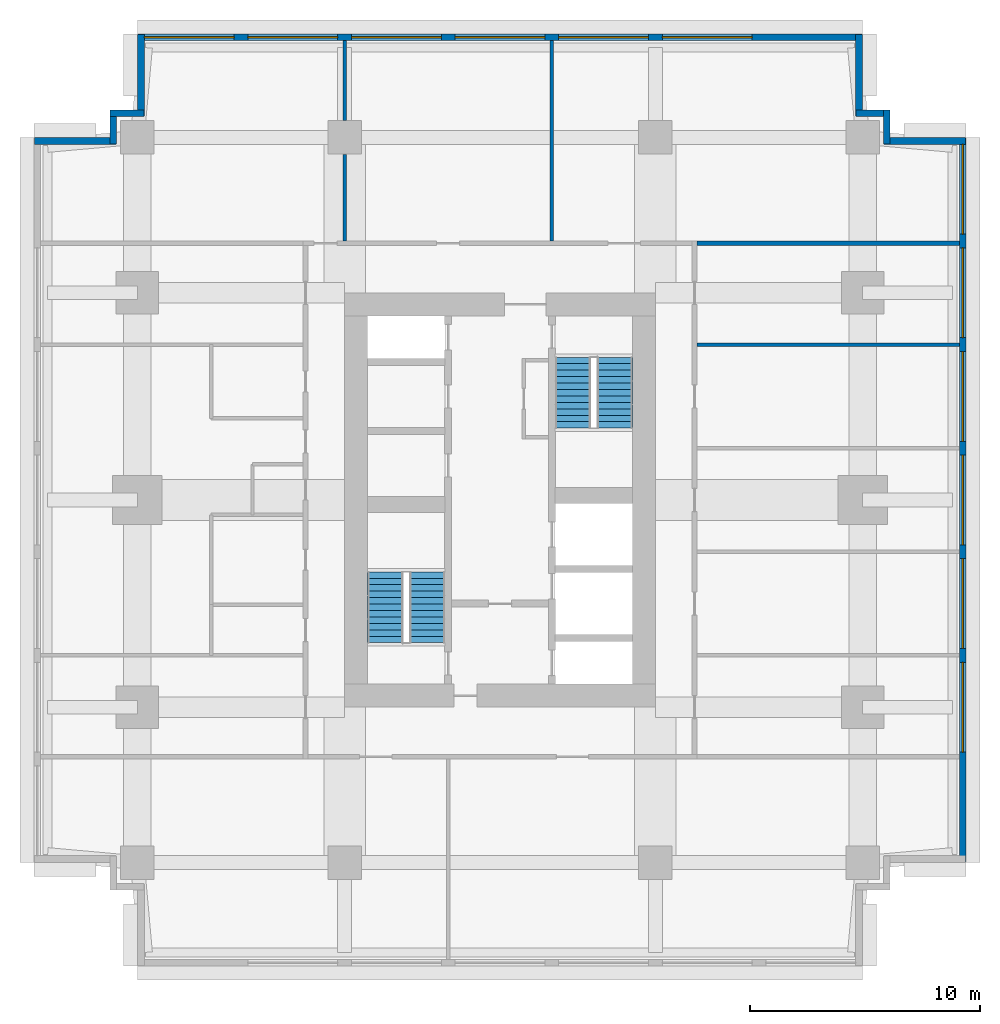
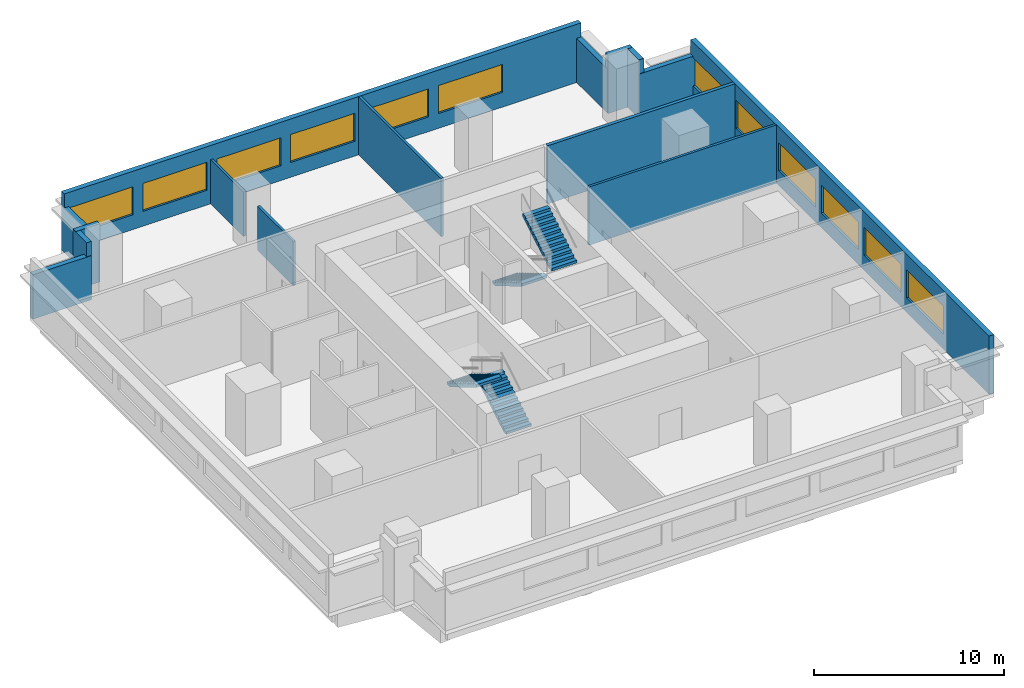
# One storey, part 4 of 5: 15 walls, 12 windows, 4 stair flights, 12 openings, 2 elements without a shape of their own.
"""IFC4 building model written with IfcOpenShell, lengths in metres."""

from ifc_helpers import new_model, si_unit, direction, frame, frame_2d, origin, place, context, subcontext, project, spatial, polyline, rectangle, outline, extrude, material, layer, layer_set, type_object, element, fill, aggregate, save


model = new_model("IFC4")

# Units and contexts
model_context = context("Model", 3, precision=1e-05, world=origin(), true_north=direction((0.0, 1.0)))
body_context = subcontext(model_context, "Body", "Model", "MODEL_VIEW")
ifc_project = project(units=[si_unit("LENGTHUNIT", "METRE"), si_unit("AREAUNIT", "SQUARE_METRE"), si_unit("VOLUMEUNIT", "CUBIC_METRE"), si_unit("PLANEANGLEUNIT", "RADIAN"), si_unit("MASSUNIT", "GRAM", prefix="KILO")], contexts=[model_context])

# Site, building, storey
site_placement = place(None, origin())
site = spatial("IfcSite", under=ifc_project, at=site_placement, CompositionType="ELEMENT")
building_placement = place(site_placement, origin())
building = spatial("IfcBuilding", under=site, at=building_placement, Name="Namib Vertical Campus", CompositionType="ELEMENT")
storey_placement = place(building_placement, frame((0.0, 0.0, 261.0)))
storey = spatial("IfcBuildingStorey", under=building, at=storey_placement, Name="L61", CompositionType="ELEMENT", Elevation=261.0)

# Wall
ifc_material_1 = material(Name="Concrete masonry", Category="masonry")
ifc_layer_1 = layer(ifc_material_1, 0.199951171875)
ifc_layer_set_1 = layer_set([ifc_layer_1], Name="Corridor wall 200")
wall_type_1 = type_object("IfcWallType", Name="Corridor wall 200", PredefinedType="SOLIDWALL", material=ifc_layer_set_1)
wall_1_placement = place(storey_placement, frame((28.800048828125, 31.39990234375, 0.0), z_axis=(0.0, 0.0, 1.0), x_axis=(1.0, 0.0, 0.0)))
element("IfcWall", 1, at=wall_1_placement, inside=storey, type_object=wall_type_1, Name="Partition A L61 BNE", PredefinedType="SOLIDWALL", context=body_context, shape_type="SweptSolid", body=[
    extrude(rectangle(XDim=11.39990234375, YDim=0.199951171875, at=frame_2d((5.699951171875, 0.0))), origin(), (0.0, 0.0, 1.0), 3.75),
])

# Wall, openings, windows
ifc_material_2 = material(Name="Concrete C40/50", Category="concrete")
ifc_layer_2 = layer(ifc_material_2, 0.300048828125)
ifc_layer_set_2 = layer_set([ifc_layer_2], Name="Concrete C40/50")
wall_type_2 = type_object("IfcWallType", Name="External wall 300 board-marked concrete", PredefinedType="STANDARD", material=ifc_layer_set_2)
wall_2_placement = place(storey_placement, frame((40.35009765625, 4.52001953125, 0.0), z_axis=(0.0, 0.0, 1.0), x_axis=(0.0, 1.0, 0.0)))
wall_2 = element("IfcWall", 2, at=wall_2_placement, inside=storey, type_object=wall_type_2, Name="External wall L61 F06", PredefinedType="STANDARD", context=body_context, shape_type="SweptSolid", body=[
    extrude(rectangle(XDim=31.4599609375, YDim=0.300048828125, at=frame_2d((15.72998046875, 0.0))), origin(), (0.0, 0.0, 1.0), 3.75),
])
opening_1_placement = place(wall_2_placement, frame((4.780029296875, 0.0, 0.949951171875)))
opening_1 = element("IfcOpeningElement", 3, at=opening_1_placement, cuts=wall_2, Name="Opening W3", PredefinedType="OPENING", context=body_context, shape_type="SweptSolid", body=[
    extrude(rectangle(XDim=3.89990234375, YDim=1.800048828125, at=frame_2d((1.949951171875, 0.89990234375))), frame((0.0, 0.159912109375, 0.0), z_axis=(0.0, -1.0, 0.0), x_axis=(1.0, 0.0, 0.0)), (0.0, 0.0, 1.0), 0.320068359375),
])
opening_2_placement = place(wall_2_placement, frame((9.280029296875, 0.0, 0.949951171875)))
opening_2 = element("IfcOpeningElement", 4, at=opening_2_placement, cuts=wall_2, Name="Opening W3", PredefinedType="OPENING", context=body_context, shape_type="SweptSolid", body=[
    extrude(rectangle(XDim=3.89990234375, YDim=1.800048828125, at=frame_2d((1.949951171875, 0.89990234375))), frame((0.0, 0.159912109375, 0.0), z_axis=(0.0, -1.0, 0.0), x_axis=(1.0, 0.0, 0.0)), (0.0, 0.0, 1.0), 0.320068359375),
])
opening_3_placement = place(wall_2_placement, frame((13.780029296875, 0.0, 0.949951171875)))
opening_3 = element("IfcOpeningElement", 5, at=opening_3_placement, cuts=wall_2, Name="Opening W3", PredefinedType="OPENING", context=body_context, shape_type="SweptSolid", body=[
    extrude(rectangle(XDim=3.89990234375, YDim=1.800048828125, at=frame_2d((1.949951171875, 0.89990234375))), frame((0.0, 0.159912109375, 0.0), z_axis=(0.0, -1.0, 0.0), x_axis=(1.0, 0.0, 0.0)), (0.0, 0.0, 1.0), 0.320068359375),
])
opening_4_placement = place(wall_2_placement, frame((18.280029296875, 0.0, 0.949951171875)))
opening_4 = element("IfcOpeningElement", 6, at=opening_4_placement, cuts=wall_2, Name="Opening W3", PredefinedType="OPENING", context=body_context, shape_type="SweptSolid", body=[
    extrude(rectangle(XDim=3.89990234375, YDim=1.800048828125, at=frame_2d((1.949951171875, 0.89990234375))), frame((0.0, 0.159912109375, 0.0), z_axis=(0.0, -1.0, 0.0), x_axis=(1.0, 0.0, 0.0)), (0.0, 0.0, 1.0), 0.320068359375),
])
opening_5_placement = place(wall_2_placement, frame((22.780029296875, 0.0, 0.949951171875)))
opening_5 = element("IfcOpeningElement", 7, at=opening_5_placement, cuts=wall_2, Name="Opening W3", PredefinedType="OPENING", context=body_context, shape_type="SweptSolid", body=[
    extrude(rectangle(XDim=3.89990234375, YDim=1.800048828125, at=frame_2d((1.949951171875, 0.89990234375))), frame((0.0, 0.159912109375, 0.0), z_axis=(0.0, -1.0, 0.0), x_axis=(1.0, 0.0, 0.0)), (0.0, 0.0, 1.0), 0.320068359375),
])
opening_6_placement = place(wall_2_placement, frame((27.280029296875, 0.0, 0.949951171875)))
opening_6 = element("IfcOpeningElement", 8, at=opening_6_placement, cuts=wall_2, Name="Opening W3", PredefinedType="OPENING", context=body_context, shape_type="SweptSolid", body=[
    extrude(rectangle(XDim=3.89990234375, YDim=1.800048828125, at=frame_2d((1.949951171875, 0.89990234375))), frame((0.0, 0.159912109375, 0.0), z_axis=(0.0, -1.0, 0.0), x_axis=(1.0, 0.0, 0.0)), (0.0, 0.0, 1.0), 0.320068359375),
])
ifc_material_3 = material(Name="Dark tinted glass in black aluminium frame", Category="aluminium")
window_type = type_object("IfcWindowType", Name="Ribbon window 3900x1800", PartitioningType="SINGLE_PANEL", PredefinedType="WINDOW", material=ifc_material_3)
window_1_placement = place(opening_1_placement, origin())
window_1 = element("IfcWindow", 9, at=window_1_placement, inside=storey, type_object=window_type, Name="Window W3 L61 F06-2", OverallHeight=1.800048828125, OverallWidth=3.89990234375, PartitioningType="SINGLE_PANEL", PredefinedType="WINDOW", context=body_context, shape_type="SweptSolid", body=[
    extrude(rectangle(XDim=3.89990234375, YDim=1.800048828125, at=frame_2d((1.949951171875, 0.89990234375))), frame((0.0, 0.030029296875, 0.0), z_axis=(0.0, -1.0, 0.0), x_axis=(1.0, 0.0, 0.0)), (0.0, 0.0, 1.0), 0.06005859375),
])
fill(opening_1, window_1)
window_2_placement = place(opening_2_placement, origin())
window_2 = element("IfcWindow", 10, at=window_2_placement, inside=storey, type_object=window_type, Name="Window W3 L61 F06-3", OverallHeight=1.800048828125, OverallWidth=3.89990234375, PartitioningType="SINGLE_PANEL", PredefinedType="WINDOW", context=body_context, shape_type="SweptSolid", body=[
    extrude(rectangle(XDim=3.89990234375, YDim=1.800048828125, at=frame_2d((1.949951171875, 0.89990234375))), frame((0.0, 0.030029296875, 0.0), z_axis=(0.0, -1.0, 0.0), x_axis=(1.0, 0.0, 0.0)), (0.0, 0.0, 1.0), 0.06005859375),
])
fill(opening_2, window_2)
window_3_placement = place(opening_3_placement, origin())
window_3 = element("IfcWindow", 11, at=window_3_placement, inside=storey, type_object=window_type, Name="Window W3 L61 F06-4", OverallHeight=1.800048828125, OverallWidth=3.89990234375, PartitioningType="SINGLE_PANEL", PredefinedType="WINDOW", context=body_context, shape_type="SweptSolid", body=[
    extrude(rectangle(XDim=3.89990234375, YDim=1.800048828125, at=frame_2d((1.949951171875, 0.89990234375))), frame((0.0, 0.030029296875, 0.0), z_axis=(0.0, -1.0, 0.0), x_axis=(1.0, 0.0, 0.0)), (0.0, 0.0, 1.0), 0.06005859375),
])
fill(opening_3, window_3)
window_4_placement = place(opening_4_placement, origin())
window_4 = element("IfcWindow", 12, at=window_4_placement, inside=storey, type_object=window_type, Name="Window W3 L61 F06-5", OverallHeight=1.800048828125, OverallWidth=3.89990234375, PartitioningType="SINGLE_PANEL", PredefinedType="WINDOW", context=body_context, shape_type="SweptSolid", body=[
    extrude(rectangle(XDim=3.89990234375, YDim=1.800048828125, at=frame_2d((1.949951171875, 0.89990234375))), frame((0.0, 0.030029296875, 0.0), z_axis=(0.0, -1.0, 0.0), x_axis=(1.0, 0.0, 0.0)), (0.0, 0.0, 1.0), 0.06005859375),
])
fill(opening_4, window_4)
window_5_placement = place(opening_5_placement, origin())
window_5 = element("IfcWindow", 13, at=window_5_placement, inside=storey, type_object=window_type, Name="Window W3 L61 F06-6", OverallHeight=1.800048828125, OverallWidth=3.89990234375, PartitioningType="SINGLE_PANEL", PredefinedType="WINDOW", context=body_context, shape_type="SweptSolid", body=[
    extrude(rectangle(XDim=3.89990234375, YDim=1.800048828125, at=frame_2d((1.949951171875, 0.89990234375))), frame((0.0, 0.030029296875, 0.0), z_axis=(0.0, -1.0, 0.0), x_axis=(1.0, 0.0, 0.0)), (0.0, 0.0, 1.0), 0.06005859375),
])
fill(opening_5, window_5)
window_6_placement = place(opening_6_placement, origin())
window_6 = element("IfcWindow", 14, at=window_6_placement, inside=storey, type_object=window_type, Name="Window W3 L61 F06-7", OverallHeight=1.800048828125, OverallWidth=3.89990234375, PartitioningType="SINGLE_PANEL", PredefinedType="WINDOW", context=body_context, shape_type="SweptSolid", body=[
    extrude(rectangle(XDim=3.89990234375, YDim=1.800048828125, at=frame_2d((1.949951171875, 0.89990234375))), frame((0.0, 0.030029296875, 0.0), z_axis=(0.0, -1.0, 0.0), x_axis=(1.0, 0.0, 0.0)), (0.0, 0.0, 1.0), 0.06005859375),
])
fill(opening_6, window_6)

# Walls
wall_3_placement = place(storey_placement, frame((40.47998046875, 35.85009765625, 0.0), z_axis=(0.0, 0.0, 1.0), x_axis=(-1.0, 0.0, 0.0)))
element("IfcWall", 15, at=wall_3_placement, inside=storey, type_object=wall_type_2, Name="External wall L61 F07", PredefinedType="STANDARD", context=body_context, shape_type="SweptSolid", body=[
    extrude(rectangle(XDim=3.56005859375, YDim=0.300048828125, at=frame_2d((1.780029296875, 0.0))), origin(), (0.0, 0.0, 1.0), 2.85009765625),
])
for number, where, z_axis, x_axis, name in (
    (16, (37.050048828125, 35.719970703125, 0.0), (0.0, 0.0, 1.0), (0.0, 1.0, 0.0), "External wall L61 F08"),
    (17, (37.179931640625, 37.050048828125, 0.0), (0.0, 0.0, 1.0), (-1.0, 0.0, 0.0), "External wall L61 F09"),
):
    element("IfcWall", number, at=place(storey_placement, frame(where, z_axis=z_axis, x_axis=x_axis)), inside=storey, type_object=wall_type_2, Name=name, PredefinedType="STANDARD", context=body_context, shape_type="SweptSolid", body=[
        extrude(rectangle(XDim=1.4599609375, YDim=0.300048828125, at=frame_2d((0.72998046875, 0.0))), origin(), (0.0, 0.0, 1.0), 3.75),
    ])
wall_4_placement = place(storey_placement, frame((35.85009765625, 36.919921875, 0.0), z_axis=(0.0, 0.0, 1.0), x_axis=(0.0, 1.0, 0.0)))
element("IfcWall", 18, at=wall_4_placement, inside=storey, type_object=wall_type_2, Name="External wall L61 F10", PredefinedType="STANDARD", context=body_context, shape_type="SweptSolid", body=[
    extrude(rectangle(XDim=3.56005859375, YDim=0.300048828125, at=frame_2d((1.780029296875, 0.0))), origin(), (0.0, 0.0, 1.0), 2.85009765625),
])

# Wall, openings, windows
wall_5_placement = place(storey_placement, frame((35.97998046875, 40.35009765625, 0.0), z_axis=(0.0, 0.0, 1.0), x_axis=(-1.0, 0.0, 0.0)))
wall_5 = element("IfcWall", 19, at=wall_5_placement, inside=storey, type_object=wall_type_2, Name="External wall L61 F11", PredefinedType="STANDARD", context=body_context, shape_type="SweptSolid", body=[
    extrude(rectangle(XDim=31.4599609375, YDim=0.300048828125, at=frame_2d((15.72998046875, 0.0))), origin(), (0.0, 0.0, 1.0), 3.75),
])
opening_7_placement = place(wall_5_placement, frame((27.280029296875, 0.0, 0.949951171875)))
opening_7 = element("IfcOpeningElement", 20, at=opening_7_placement, cuts=wall_5, Name="Opening W3", PredefinedType="OPENING", context=body_context, shape_type="SweptSolid", body=[
    extrude(rectangle(XDim=3.89990234375, YDim=1.800048828125, at=frame_2d((1.949951171875, 0.89990234375))), frame((0.0, 0.159912109375, 0.0), z_axis=(0.0, -1.0, 0.0), x_axis=(1.0, 0.0, 0.0)), (0.0, 0.0, 1.0), 0.320068359375),
])
opening_8_placement = place(wall_5_placement, frame((22.780029296875, 0.0, 0.949951171875)))
opening_8 = element("IfcOpeningElement", 21, at=opening_8_placement, cuts=wall_5, Name="Opening W3", PredefinedType="OPENING", context=body_context, shape_type="SweptSolid", body=[
    extrude(rectangle(XDim=3.89990234375, YDim=1.800048828125, at=frame_2d((1.949951171875, 0.89990234375))), frame((0.0, 0.159912109375, 0.0), z_axis=(0.0, -1.0, 0.0), x_axis=(1.0, 0.0, 0.0)), (0.0, 0.0, 1.0), 0.320068359375),
])
opening_9_placement = place(wall_5_placement, frame((18.280029296875, 0.0, 0.949951171875)))
opening_9 = element("IfcOpeningElement", 22, at=opening_9_placement, cuts=wall_5, Name="Opening W3", PredefinedType="OPENING", context=body_context, shape_type="SweptSolid", body=[
    extrude(rectangle(XDim=3.89990234375, YDim=1.800048828125, at=frame_2d((1.949951171875, 0.89990234375))), frame((0.0, 0.159912109375, 0.0), z_axis=(0.0, -1.0, 0.0), x_axis=(1.0, 0.0, 0.0)), (0.0, 0.0, 1.0), 0.320068359375),
])
opening_10_placement = place(wall_5_placement, frame((13.780029296875, 0.0, 0.949951171875)))
opening_10 = element("IfcOpeningElement", 23, at=opening_10_placement, cuts=wall_5, Name="Opening W3", PredefinedType="OPENING", context=body_context, shape_type="SweptSolid", body=[
    extrude(rectangle(XDim=3.89990234375, YDim=1.800048828125, at=frame_2d((1.949951171875, 0.89990234375))), frame((0.0, 0.159912109375, 0.0), z_axis=(0.0, -1.0, 0.0), x_axis=(1.0, 0.0, 0.0)), (0.0, 0.0, 1.0), 0.320068359375),
])
opening_11_placement = place(wall_5_placement, frame((9.280029296875, 0.0, 0.949951171875)))
opening_11 = element("IfcOpeningElement", 24, at=opening_11_placement, cuts=wall_5, Name="Opening W3", PredefinedType="OPENING", context=body_context, shape_type="SweptSolid", body=[
    extrude(rectangle(XDim=3.89990234375, YDim=1.800048828125, at=frame_2d((1.949951171875, 0.89990234375))), frame((0.0, 0.159912109375, 0.0), z_axis=(0.0, -1.0, 0.0), x_axis=(1.0, 0.0, 0.0)), (0.0, 0.0, 1.0), 0.320068359375),
])
opening_12_placement = place(wall_5_placement, frame((4.780029296875, 0.0, 0.949951171875)))
opening_12 = element("IfcOpeningElement", 25, at=opening_12_placement, cuts=wall_5, Name="Opening W3", PredefinedType="OPENING", context=body_context, shape_type="SweptSolid", body=[
    extrude(rectangle(XDim=3.89990234375, YDim=1.800048828125, at=frame_2d((1.949951171875, 0.89990234375))), frame((0.0, 0.159912109375, 0.0), z_axis=(0.0, -1.0, 0.0), x_axis=(1.0, 0.0, 0.0)), (0.0, 0.0, 1.0), 0.320068359375),
])
window_7_placement = place(opening_7_placement, origin())
window_7 = element("IfcWindow", 26, at=window_7_placement, inside=storey, type_object=window_type, Name="Window W3 L61 F11-1", OverallHeight=1.800048828125, OverallWidth=3.89990234375, PartitioningType="SINGLE_PANEL", PredefinedType="WINDOW", context=body_context, shape_type="SweptSolid", body=[
    extrude(rectangle(XDim=3.89990234375, YDim=1.800048828125, at=frame_2d((1.949951171875, 0.89990234375))), frame((0.0, 0.030029296875, 0.0), z_axis=(0.0, -1.0, 0.0), x_axis=(1.0, 0.0, 0.0)), (0.0, 0.0, 1.0), 0.06005859375),
])
fill(opening_7, window_7)
window_8_placement = place(opening_8_placement, origin())
window_8 = element("IfcWindow", 27, at=window_8_placement, inside=storey, type_object=window_type, Name="Window W3 L61 F11-2", OverallHeight=1.800048828125, OverallWidth=3.89990234375, PartitioningType="SINGLE_PANEL", PredefinedType="WINDOW", context=body_context, shape_type="SweptSolid", body=[
    extrude(rectangle(XDim=3.89990234375, YDim=1.800048828125, at=frame_2d((1.949951171875, 0.89990234375))), frame((0.0, 0.030029296875, 0.0), z_axis=(0.0, -1.0, 0.0), x_axis=(1.0, 0.0, 0.0)), (0.0, 0.0, 1.0), 0.06005859375),
])
fill(opening_8, window_8)
window_9_placement = place(opening_9_placement, origin())
window_9 = element("IfcWindow", 28, at=window_9_placement, inside=storey, type_object=window_type, Name="Window W3 L61 F11-3", OverallHeight=1.800048828125, OverallWidth=3.89990234375, PartitioningType="SINGLE_PANEL", PredefinedType="WINDOW", context=body_context, shape_type="SweptSolid", body=[
    extrude(rectangle(XDim=3.89990234375, YDim=1.800048828125, at=frame_2d((1.949951171875, 0.89990234375))), frame((0.0, 0.030029296875, 0.0), z_axis=(0.0, -1.0, 0.0), x_axis=(1.0, 0.0, 0.0)), (0.0, 0.0, 1.0), 0.06005859375),
])
fill(opening_9, window_9)
window_10_placement = place(opening_10_placement, origin())
window_10 = element("IfcWindow", 29, at=window_10_placement, inside=storey, type_object=window_type, Name="Window W3 L61 F11-4", OverallHeight=1.800048828125, OverallWidth=3.89990234375, PartitioningType="SINGLE_PANEL", PredefinedType="WINDOW", context=body_context, shape_type="SweptSolid", body=[
    extrude(rectangle(XDim=3.89990234375, YDim=1.800048828125, at=frame_2d((1.949951171875, 0.89990234375))), frame((0.0, 0.030029296875, 0.0), z_axis=(0.0, -1.0, 0.0), x_axis=(1.0, 0.0, 0.0)), (0.0, 0.0, 1.0), 0.06005859375),
])
fill(opening_10, window_10)
window_11_placement = place(opening_11_placement, origin())
window_11 = element("IfcWindow", 30, at=window_11_placement, inside=storey, type_object=window_type, Name="Window W3 L61 F11-5", OverallHeight=1.800048828125, OverallWidth=3.89990234375, PartitioningType="SINGLE_PANEL", PredefinedType="WINDOW", context=body_context, shape_type="SweptSolid", body=[
    extrude(rectangle(XDim=3.89990234375, YDim=1.800048828125, at=frame_2d((1.949951171875, 0.89990234375))), frame((0.0, 0.030029296875, 0.0), z_axis=(0.0, -1.0, 0.0), x_axis=(1.0, 0.0, 0.0)), (0.0, 0.0, 1.0), 0.06005859375),
])
fill(opening_11, window_11)
window_12_placement = place(opening_12_placement, origin())
window_12 = element("IfcWindow", 31, at=window_12_placement, inside=storey, type_object=window_type, Name="Window W3 L61 F11-6", OverallHeight=1.800048828125, OverallWidth=3.89990234375, PartitioningType="SINGLE_PANEL", PredefinedType="WINDOW", context=body_context, shape_type="SweptSolid", body=[
    extrude(rectangle(XDim=3.89990234375, YDim=1.800048828125, at=frame_2d((1.949951171875, 0.89990234375))), frame((0.0, 0.030029296875, 0.0), z_axis=(0.0, -1.0, 0.0), x_axis=(1.0, 0.0, 0.0)), (0.0, 0.0, 1.0), 0.06005859375),
])
fill(opening_12, window_12)

# Walls
wall_6_placement = place(storey_placement, frame((4.64990234375, 40.47998046875, 0.0), z_axis=(0.0, 0.0, 1.0), x_axis=(0.0, -1.0, 0.0)))
element("IfcWall", 32, at=wall_6_placement, inside=storey, type_object=wall_type_2, Name="External wall L61 F12", PredefinedType="STANDARD", context=body_context, shape_type="SweptSolid", body=[
    extrude(rectangle(XDim=3.56005859375, YDim=0.300048828125, at=frame_2d((1.780029296875, 0.0))), origin(), (0.0, 0.0, 1.0), 2.85009765625),
])
for number, where, z_axis, x_axis, name in (
    (33, (4.780029296875, 37.050048828125, 0.0), (0.0, 0.0, 1.0), (-1.0, 0.0, 0.0), "External wall L61 F13"),
    (34, (3.449951171875, 37.179931640625, 0.0), (0.0, 0.0, 1.0), (0.0, -1.0, 0.0), "External wall L61 F14"),
):
    element("IfcWall", number, at=place(storey_placement, frame(where, z_axis=z_axis, x_axis=x_axis)), inside=storey, type_object=wall_type_2, Name=name, PredefinedType="STANDARD", context=body_context, shape_type="SweptSolid", body=[
        extrude(rectangle(XDim=1.4599609375, YDim=0.300048828125, at=frame_2d((0.72998046875, 0.0))), origin(), (0.0, 0.0, 1.0), 3.75),
    ])
wall_7_placement = place(storey_placement, frame((3.580078125, 35.85009765625, 0.0), z_axis=(0.0, 0.0, 1.0), x_axis=(-1.0, 0.0, 0.0)))
element("IfcWall", 35, at=wall_7_placement, inside=storey, type_object=wall_type_2, Name="External wall L61 F15", PredefinedType="STANDARD", context=body_context, shape_type="SweptSolid", body=[
    extrude(rectangle(XDim=3.56005859375, YDim=0.300048828125, at=frame_2d((1.780029296875, 0.0))), origin(), (0.0, 0.0, 1.0), 2.85009765625),
])
ifc_material_4 = material(Name="Gypsum board on steel studs", Category="steel")
ifc_layer_3 = layer(ifc_material_4, 0.14990234375)
ifc_layer_set_3 = layer_set([ifc_layer_3], Name="Gypsum board on steel studs")
wall_type_3 = type_object("IfcWallType", Name="Partition 150", PredefinedType="PARTITIONING", material=ifc_layer_set_3)
wall_8_placement = place(storey_placement, frame((13.5, 31.5, 0.0), z_axis=(0.0, 0.0, 1.0), x_axis=(0.0, 1.0, 0.0)))
element("IfcWall", 36, at=wall_8_placement, inside=storey, type_object=wall_type_3, Name="Partition A L61 PN1", PredefinedType="PARTITIONING", context=body_context, shape_type="SweptSolid", body=[
    extrude(rectangle(XDim=3.7548828125, YDim=0.14990234375, at=frame_2d((1.87744140625, 0.0))), origin(), (0.0, 0.0, 1.0), 2.85009765625),
])
wall_9_placement = place(storey_placement, frame((13.5, 36.7451171875, 0.0), z_axis=(0.0, 0.0, 1.0), x_axis=(0.0, 1.0, 0.0)))
element("IfcWall", 37, at=wall_9_placement, inside=storey, type_object=wall_type_3, Name="Partition A L61 PN1", PredefinedType="PARTITIONING", context=body_context, shape_type="SweptSolid", body=[
    extrude(rectangle(XDim=3.454833984375, YDim=0.14990234375, at=frame_2d((1.7275390625, 0.0))), origin(), (0.0, 0.0, 1.0), 2.85009765625),
])
wall_10_placement = place(storey_placement, frame((22.5, 31.5, 0.0), z_axis=(0.0, 0.0, 1.0), x_axis=(0.0, 1.0, 0.0)))
element("IfcWall", 38, at=wall_10_placement, inside=storey, type_object=wall_type_3, Name="Partition A L61 PN2", PredefinedType="PARTITIONING", context=body_context, shape_type="SweptSolid", body=[
    extrude(rectangle(XDim=8.699951171875, YDim=0.14990234375, at=frame_2d((4.35009765625, 0.0))), origin(), (0.0, 0.0, 1.0), 3.75),
])
wall_11_placement = place(storey_placement, frame((28.800048828125, 27.0, 0.0), z_axis=(0.0, 0.0, 1.0), x_axis=(1.0, 0.0, 0.0)))
element("IfcWall", 39, at=wall_11_placement, inside=storey, type_object=wall_type_3, Name="Partition A L61 PE4", PredefinedType="PARTITIONING", context=body_context, shape_type="SweptSolid", body=[
    extrude(rectangle(XDim=11.39990234375, YDim=0.14990234375, at=frame_2d((5.699951171875, 0.0))), origin(), (0.0, 0.0, 1.0), 3.75),
])

# Stair, stair flights
ifc_material_5 = material(Name="Concrete C40/50 precast", Category="concrete")
stair_type = type_object("IfcStairType", Name="Exit stair 4000 rise 24 risers 3350 wide", PredefinedType="HALF_TURN_STAIR", material=ifc_material_5)
stair_1_placement = place(storey_placement, origin())
stair_1 = element("IfcStair", 40, at=stair_1_placement, inside=storey, type_object=stair_type, Name="Exit stair A-S1 L61", PredefinedType="HALF_TURN_STAIR")
ifc_material_6 = material(Name="Concrete C40/50 precast", Category="concrete")
stair_flight_type = type_object("IfcStairFlightType", Name="Stair flight 12 risers 167 1525 wide", PredefinedType="STRAIGHT", material=ifc_material_6)
stair_flight_1_placement = place(storey_placement, frame((17.08740234375, 14.050048828125, 0.0), z_axis=(0.0, 0.0, 1.0), x_axis=(0.0, 1.0, 0.0)))
stair_flight_1 = element("IfcStairFlight", 41, at=stair_flight_1_placement, type_object=stair_flight_type, Name="A-S1 flight 1", NumberOfRisers=12, NumberOfTreads=11, PredefinedType="STRAIGHT", RiserHeight=0.166666667, TreadLength=0.28, context=body_context, shape_type="SweptSolid", body=[
    extrude(outline(polyline([(0.0, 0.0), (0.0, 0.166748046875), (0.280029296875, 0.166748046875), (0.280029296875, 0.333251953125), (0.56005859375, 0.333251953125), (0.56005859375, 0.5), (0.840087890625, 0.5), (0.840087890625, 0.666748046875), (1.1201171875, 0.666748046875), (1.1201171875, 0.833251953125), (1.39990234375, 0.833251953125), (1.39990234375, 1.0), (1.679931640625, 1.0), (1.679931640625, 1.166748046875), (1.9599609375, 1.166748046875), (1.9599609375, 1.333251953125), (2.239990234375, 1.333251953125), (2.239990234375, 1.5), (2.52001953125, 1.5), (2.52001953125, 1.666748046875), (2.800048828125, 1.666748046875), (2.800048828125, 1.833251953125), (3.080078125, 1.833251953125), (3.080078125, 2.0), (3.080078125, 1.658935546875), (0.29296875, 0.0), (0.0, 0.0)])), frame((0.0, 0.762451171875, 0.0), z_axis=(0.0, -1.0, 0.0), x_axis=(1.0, 0.0, 0.0)), (0.0, 0.0, 1.0), 1.52490234375),
])
stair_flight_2_placement = place(storey_placement, frame((15.262451171875, 17.1298828125, 2.0), z_axis=(0.0, 0.0, 1.0), x_axis=(0.0, -1.0, 0.0)))
stair_flight_2 = element("IfcStairFlight", 42, at=stair_flight_2_placement, type_object=stair_flight_type, Name="A-S1 flight 2", NumberOfRisers=12, NumberOfTreads=11, PredefinedType="STRAIGHT", RiserHeight=0.166666667, TreadLength=0.28, context=body_context, shape_type="SweptSolid", body=[
    extrude(outline(polyline([(0.0, 0.0), (0.0, 0.166748046875), (0.280029296875, 0.166748046875), (0.280029296875, 0.333251953125), (0.56005859375, 0.333251953125), (0.56005859375, 0.5), (0.840087890625, 0.5), (0.840087890625, 0.666748046875), (1.1201171875, 0.666748046875), (1.1201171875, 0.833251953125), (1.39990234375, 0.833251953125), (1.39990234375, 1.0), (1.679931640625, 1.0), (1.679931640625, 1.166748046875), (1.9599609375, 1.166748046875), (1.9599609375, 1.333251953125), (2.239990234375, 1.333251953125), (2.239990234375, 1.5), (2.52001953125, 1.5), (2.52001953125, 1.666748046875), (2.800048828125, 1.666748046875), (2.800048828125, 1.833251953125), (3.080078125, 1.833251953125), (3.080078125, 2.0), (3.080078125, 1.658935546875), (0.29296875, 0.0), (0.0, 0.0)])), frame((0.0, 0.762451171875, 0.0), z_axis=(0.0, -1.0, 0.0), x_axis=(1.0, 0.0, 0.0)), (0.0, 0.0, 1.0), 1.52490234375),
])
aggregate(stair_1, [stair_flight_1, stair_flight_2])

stair_2_placement = place(storey_placement, origin())
stair_2 = element("IfcStair", 43, at=stair_2_placement, inside=storey, type_object=stair_type, Name="Exit stair A-S2 L61", PredefinedType="HALF_TURN_STAIR")
stair_flight_3_placement = place(storey_placement, frame((23.41259765625, 26.449951171875, 0.0), z_axis=(0.0, 0.0, 1.0), x_axis=(0.0, -1.0, 0.0)))
stair_flight_3 = element("IfcStairFlight", 44, at=stair_flight_3_placement, type_object=stair_flight_type, Name="A-S2 flight 1", NumberOfRisers=12, NumberOfTreads=11, PredefinedType="STRAIGHT", RiserHeight=0.166666667, TreadLength=0.28, context=body_context, shape_type="SweptSolid", body=[
    extrude(outline(polyline([(0.0, 0.0), (0.0, 0.166748046875), (0.280029296875, 0.166748046875), (0.280029296875, 0.333251953125), (0.56005859375, 0.333251953125), (0.56005859375, 0.5), (0.840087890625, 0.5), (0.840087890625, 0.666748046875), (1.1201171875, 0.666748046875), (1.1201171875, 0.833251953125), (1.39990234375, 0.833251953125), (1.39990234375, 1.0), (1.679931640625, 1.0), (1.679931640625, 1.166748046875), (1.9599609375, 1.166748046875), (1.9599609375, 1.333251953125), (2.239990234375, 1.333251953125), (2.239990234375, 1.5), (2.52001953125, 1.5), (2.52001953125, 1.666748046875), (2.800048828125, 1.666748046875), (2.800048828125, 1.833251953125), (3.080078125, 1.833251953125), (3.080078125, 2.0), (3.080078125, 1.658935546875), (0.29296875, 0.0), (0.0, 0.0)])), frame((0.0, 0.762451171875, 0.0), z_axis=(0.0, -1.0, 0.0), x_axis=(1.0, 0.0, 0.0)), (0.0, 0.0, 1.0), 1.52490234375),
])
stair_flight_4_placement = place(storey_placement, frame((25.237548828125, 23.3701171875, 2.0), z_axis=(0.0, 0.0, 1.0), x_axis=(0.0, 1.0, 0.0)))
stair_flight_4 = element("IfcStairFlight", 45, at=stair_flight_4_placement, type_object=stair_flight_type, Name="A-S2 flight 2", NumberOfRisers=12, NumberOfTreads=11, PredefinedType="STRAIGHT", RiserHeight=0.166666667, TreadLength=0.28, context=body_context, shape_type="SweptSolid", body=[
    extrude(outline(polyline([(0.0, 0.0), (0.0, 0.166748046875), (0.280029296875, 0.166748046875), (0.280029296875, 0.333251953125), (0.56005859375, 0.333251953125), (0.56005859375, 0.5), (0.840087890625, 0.5), (0.840087890625, 0.666748046875), (1.1201171875, 0.666748046875), (1.1201171875, 0.833251953125), (1.39990234375, 0.833251953125), (1.39990234375, 1.0), (1.679931640625, 1.0), (1.679931640625, 1.166748046875), (1.9599609375, 1.166748046875), (1.9599609375, 1.333251953125), (2.239990234375, 1.333251953125), (2.239990234375, 1.5), (2.52001953125, 1.5), (2.52001953125, 1.666748046875), (2.800048828125, 1.666748046875), (2.800048828125, 1.833251953125), (3.080078125, 1.833251953125), (3.080078125, 2.0), (3.080078125, 1.658935546875), (0.29296875, 0.0), (0.0, 0.0)])), frame((0.0, 0.762451171875, 0.0), z_axis=(0.0, -1.0, 0.0), x_axis=(1.0, 0.0, 0.0)), (0.0, 0.0, 1.0), 1.52490234375),
])
aggregate(stair_2, [stair_flight_3, stair_flight_4])

save(model, "model.ifc")
